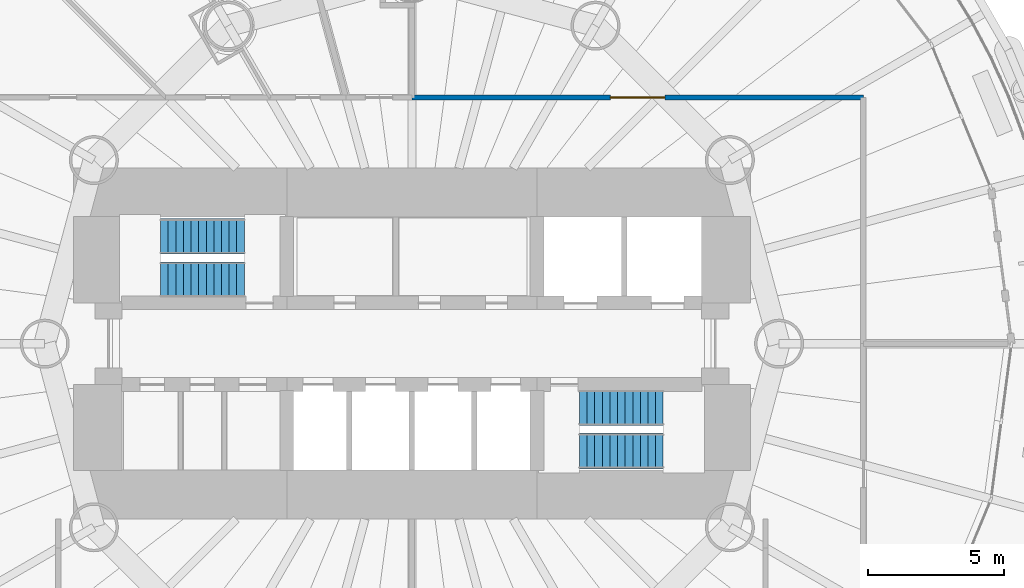
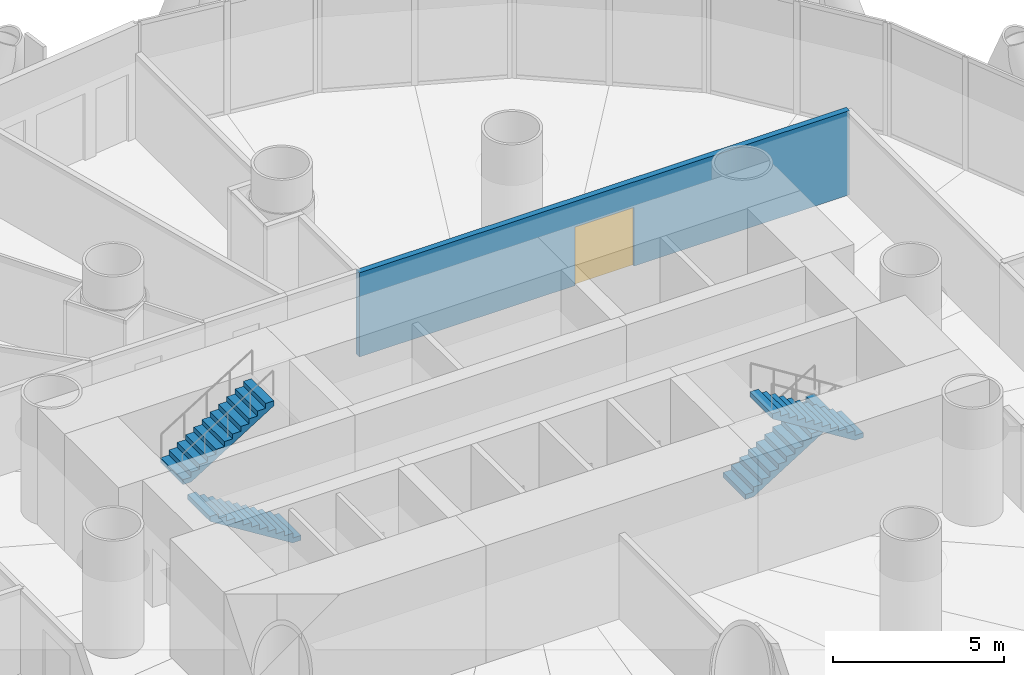
# One storey, part 12 of 16: 4 stair flights, 1 door, 1 wall, 1 opening, 2 elements without a shape of their own.
"""IFC4 building model written with IfcOpenShell, lengths in metres."""

import ifcopenshell
import ifcopenshell.guid

model = None  # the IFC model being written
_history = None  # IfcOwnerHistory: only IFC2X3 demands one
_inside = {}  # id of a spatial element -> (the spatial element, [elements in it])
_under = {}  # id of a project, library or spatial element -> (it, [spatial elements below it])
_declared = {}  # id of a project -> (the project, [libraries it declares])
_typed = {}  # id of a type object -> (the type object, [elements of that type])
_made_of = {}  # id of a material, layer set ... -> (it, [elements and type objects made of it])


def new_model(schema):
    """Start an empty IFC model of exactly this schema.

    Asked for "IFC4X3", IfcOpenShell would pick the latest addendum, in which some entities
    have other attributes; the version numbers below select the first issue.
    IFC2X3 requires an IfcOwnerHistory on every rooted entity: one is made here for all.
    """
    global model, _history
    if schema == "IFC4X3":
        model = ifcopenshell.file(schema_version=(4, 3, 0, 0))
    else:
        model = ifcopenshell.file(schema=schema)
    _inside.clear()
    _under.clear()
    _declared.clear()
    _typed.clear()
    _made_of.clear()
    _history = None
    if model.schema == "IFC2X3":
        org = make("IfcOrganization", Name="unknown")
        user = make(
            "IfcPersonAndOrganization",
            ThePerson=make("IfcPerson", FamilyName="unknown"),
            TheOrganization=org,
        )
        app = make(
            "IfcApplication",
            ApplicationDeveloper=org,
            Version="unknown",
            ApplicationFullName="unknown",
            ApplicationIdentifier="unknown",
        )
        _history = make(
            "IfcOwnerHistory",
            OwningUser=user,
            OwningApplication=app,
            ChangeAction="ADDED",
            CreationDate=0,
        )
    return model


def make(cls, **values):
    """One entity of the class cls with the attributes given. An attribute that is None is left unset."""
    return model.create_entity(
        cls, **{name: value for name, value in values.items() if value is not None}
    )


def rooted(cls, **values):
    """An entity with a GlobalId (a new one), such as an element, a storey or a relation."""
    return make(cls, GlobalId=ifcopenshell.guid.new(), OwnerHistory=_history, **values)


def si_unit(unit_type, name, prefix=None):
    """IfcSIUnit, for example si_unit("LENGTHUNIT", "METRE", prefix="MILLI")."""
    return make("IfcSIUnit", UnitType=unit_type, Prefix=prefix, Name=name)


def assignment(units):
    """IfcUnitAssignment: the units of a project."""
    return None if units is None else make("IfcUnitAssignment", Units=units)


def point(xyz):
    """IfcCartesianPoint."""
    return None if xyz is None else make("IfcCartesianPoint", Coordinates=xyz)


def direction(xyz):
    """IfcDirection."""
    return None if xyz is None else make("IfcDirection", DirectionRatios=xyz)


def frame(location, z_axis=None, x_axis=None):
    """IfcAxis2Placement3D, a coordinate frame: its origin and axes. An axis left out is left unset."""
    return make(
        "IfcAxis2Placement3D",
        Location=point(location),
        Axis=direction(z_axis),
        RefDirection=direction(x_axis),
    )


def frame_2d(location, x_axis=None):
    """IfcAxis2Placement2D, a coordinate frame in the plane: its origin and x axis."""
    return make(
        "IfcAxis2Placement2D", Location=point(location), RefDirection=direction(x_axis)
    )


def origin():
    """The frame at (0, 0, 0) with its axes left unset."""
    return frame((0.0, 0.0, 0.0))


def place(relative_to, where):
    """IfcLocalPlacement: puts the frame where relative to a parent placement (None: the world)."""
    return make(
        "IfcLocalPlacement", PlacementRelTo=relative_to, RelativePlacement=where
    )


def context(
    kind, dimensions, precision=None, world=None, true_north=None, identifier=None
):
    """IfcGeometricRepresentationContext, for example the 3D "Model" context."""
    return make(
        "IfcGeometricRepresentationContext",
        ContextIdentifier=identifier,
        ContextType=kind,
        CoordinateSpaceDimension=dimensions,
        Precision=precision,
        WorldCoordinateSystem=world,
        TrueNorth=true_north,
    )


def subcontext(parent, identifier, kind, view, scale=None):
    """IfcGeometricRepresentationSubContext, for example "Body" below "Model"."""
    return make(
        "IfcGeometricRepresentationSubContext",
        ContextIdentifier=identifier,
        ContextType=kind,
        ParentContext=parent,
        TargetScale=scale,
        TargetView=view,
    )


def project(units=None, contexts=None):
    """IfcProject with its units and contexts."""
    return rooted(
        "IfcProject",
        Name="project",
        RepresentationContexts=contexts,
        UnitsInContext=assignment(units),
    )


def spatial(cls, under=None, at=None, **own):
    """A site, building, storey or space (cls), placed at a placement, below another one or the project."""
    s = rooted(cls, ObjectPlacement=at, **own)
    if under is not None:
        _under.setdefault(under.id(), (under, []))[1].append(s)
    return s


def polyline(points):
    """IfcPolyline through the points."""
    return make("IfcPolyline", Points=[point(p) for p in points])


def profile(cls, at=None, kind="AREA", **sizes):
    """A parametric profile (cls). Its sizes go by their IFC names, for example OverallWidth=200.0."""
    return make(cls, ProfileType=kind, Position=at, **sizes)


def rectangle(**sizes):
    """IfcRectangleProfileDef."""
    return profile("IfcRectangleProfileDef", **sizes)


def outline(outer, holes=None, kind="AREA"):
    """IfcArbitraryClosedProfileDef: a profile drawn as a closed curve; with holes, ...WithVoids."""
    if holes is None:
        return make("IfcArbitraryClosedProfileDef", ProfileType=kind, OuterCurve=outer)
    return make(
        "IfcArbitraryProfileDefWithVoids",
        ProfileType=kind,
        OuterCurve=outer,
        InnerCurves=holes,
    )


def extrude(swept, where, along, depth):
    """IfcExtrudedAreaSolid: the profile swept, set in the frame where, extruded along a direction by depth."""
    return make(
        "IfcExtrudedAreaSolid",
        SweptArea=swept,
        Position=where,
        ExtrudedDirection=direction(along),
        Depth=depth,
    )


def shape(context_of_items, identifier, shape_type, items):
    """IfcShapeRepresentation: the items that make up one representation, for example the "Body"."""
    return make(
        "IfcShapeRepresentation",
        ContextOfItems=context_of_items,
        RepresentationIdentifier=identifier,
        RepresentationType=shape_type,
        Items=items,
    )


def material(Name=None, Category=None):
    """IfcMaterial."""
    return make("IfcMaterial", Name=Name, Category=Category)


def layer(
    of_material, thickness, ventilated=None, Name=None, Category=None, Priority=None
):
    """IfcMaterialLayer: one layer of a wall or slab, of a material (None: an air gap)."""
    return make(
        "IfcMaterialLayer",
        Material=of_material,
        LayerThickness=thickness,
        IsVentilated=ventilated,
        Name=Name,
        Category=Category,
        Priority=Priority,
    )


def layer_set(layers, Name=None):
    """IfcMaterialLayerSet."""
    return make("IfcMaterialLayerSet", MaterialLayers=layers, LayerSetName=Name)


def made_of(thing, what):
    """Note that an element or type object is made of a material, layer set ...; save() writes the relation."""
    if what is not None:
        _made_of.setdefault(what.id(), (what, []))[1].append(thing)
    return thing


def type_object(cls, material=None, **own):
    """A type object (cls), such as IfcWallType, which elements share."""
    return made_of(rooted(cls, **own), material)


def element(
    cls,
    number,
    at=None,
    inside=None,
    cuts=None,
    type_object=None,
    material=None,
    context=None,
    identifier="Body",
    shape_type=None,
    held_by="IfcProductDefinitionShape",
    body=None,
    shapes=None,
    **own,
):
    """One element of the class cls, such as IfcWall. Its Tag is "e" and its number.

    at: its placement. inside: the storey or other place that contains it. cuts: it is an
    opening in that element (IfcRelVoidsElement). A single representation is given by context,
    identifier, shape_type and body (its items); several are given by shapes. held_by: the class
    of the entity that holds the representations. save() writes the other relations.
    """
    e = rooted(cls, Tag="e%d" % number, ObjectPlacement=at, **own)
    if body is not None:
        shapes = [shape(context, identifier, shape_type, body)]
    if shapes is not None:
        e.Representation = make(held_by, Representations=shapes)
    if inside is not None:
        _inside.setdefault(inside.id(), (inside, []))[1].append(e)
    if cuts is not None:
        rooted(
            "IfcRelVoidsElement", RelatingBuildingElement=cuts, RelatedOpeningElement=e
        )
    if type_object is not None:
        _typed.setdefault(type_object.id(), (type_object, []))[1].append(e)
    return made_of(e, material)


def fill(opening, filler):
    """IfcRelFillsElement: the door or window that sits in an opening."""
    return rooted(
        "IfcRelFillsElement",
        RelatingOpeningElement=opening,
        RelatedBuildingElement=filler,
    )


def aggregate(whole, parts):
    """IfcRelAggregates: a whole, such as a stair, and the parts it consists of."""
    return rooted("IfcRelAggregates", RelatingObject=whole, RelatedObjects=parts)


def save(model, path):
    """Write the relations noted so far, then the file.

    IfcRelAggregates (storeys below a building ...), IfcRelContainedInSpatialStructure (elements
    in a storey), IfcRelDefinesByType, IfcRelAssociatesMaterial and IfcRelDeclares: one each for
    every whole, place, type object, material and project.
    """
    for whole, parts in _under.values():
        aggregate(whole, parts)
    for where, things in _inside.values():
        rooted(
            "IfcRelContainedInSpatialStructure",
            RelatedElements=things,
            RelatingStructure=where,
        )
    for kind, things in _typed.values():
        rooted("IfcRelDefinesByType", RelatedObjects=things, RelatingType=kind)
    for what, things in _made_of.values():
        rooted("IfcRelAssociatesMaterial", RelatedObjects=things, RelatingMaterial=what)
    for by, libraries in _declared.values():
        rooted("IfcRelDeclares", RelatingContext=by, RelatedDefinitions=libraries)
    model.write(path)


model = new_model("IFC4")

# Units and contexts
model_context = context("Model", 3, precision=1e-05, world=origin(), true_north=direction((0.0, 1.0)))
body_context = subcontext(model_context, "Body", "Model", "MODEL_VIEW")
ifc_project = project(units=[si_unit("LENGTHUNIT", "METRE"), si_unit("AREAUNIT", "SQUARE_METRE"), si_unit("VOLUMEUNIT", "CUBIC_METRE"), si_unit("PLANEANGLEUNIT", "RADIAN"), si_unit("MASSUNIT", "GRAM", prefix="KILO")], contexts=[model_context])

# Site, building, storey
site_placement = place(None, origin())
site = spatial("IfcSite", under=ifc_project, at=site_placement, CompositionType="ELEMENT")
building_placement = place(site_placement, origin())
building = spatial("IfcBuilding", under=site, at=building_placement, Name="Qaws Media Tower", CompositionType="ELEMENT")
storey_placement = place(building_placement, frame((0.0, 0.0, 181.39990234375)))
storey = spatial("IfcBuildingStorey", under=building, at=storey_placement, Name="L41", CompositionType="ELEMENT", Elevation=181.39990234375)

# Wall, opening, door
ifc_material_1 = material(Name="Gypsum board on galvanised metal studs, acoustic double stud, deflection head", Category="gypsum")
ifc_layer = layer(ifc_material_1, 0.199951171875)
ifc_layer_set = layer_set([ifc_layer], Name="Room partition 200")
wall_type = type_object("IfcWallType", Name="Room partition 200", PredefinedType="PARTITIONING", material=ifc_layer_set)
wall_placement = place(storey_placement, frame((60.0, 59.050048828125, 0.0), z_axis=(0.0, 0.0, 1.0), x_axis=(1.0, 0.0, 0.0)))
wall = element("IfcWall", 1, at=wall_placement, inside=storey, type_object=wall_type, Name="W1397 IW3 partition L41", PredefinedType="PARTITIONING", context=body_context, shape_type="SweptSolid", body=[
    extrude(rectangle(XDim=16.60009765625, YDim=0.199951171875, at=frame_2d((8.300048828125, 0.0))), origin(), (0.0, 0.0, 1.0), 3.01220703125),
])
opening_placement = place(wall_placement, frame((7.300048828125, 0.0, 0.0)))
opening = element("IfcOpeningElement", 2, at=opening_placement, cuts=wall, Name="Opening D6", PredefinedType="OPENING", context=body_context, shape_type="SweptSolid", body=[
    extrude(rectangle(XDim=2.0, YDim=2.10009765625, at=frame_2d((1.0, 1.050048828125))), frame((0.0, 0.10986328125, 0.0), z_axis=(0.0, -1.0, 0.0), x_axis=(1.0, 0.0, 0.0)), (0.0, 0.0, 1.0), 0.219970703125),
])
ifc_material_2 = material(Name="Steel, acoustic, fire rated", Category="steel")
door_type = type_object("IfcDoorType", Name="Room door pair 2000", OperationType="DOUBLE_DOOR_DOUBLE_SWING", PredefinedType="DOOR", material=ifc_material_2)
door_placement = place(opening_placement, origin())
door = element("IfcDoor", 3, at=door_placement, inside=storey, type_object=door_type, Name="D6 Strategy office door L41 in wall W1397", OperationType="DOUBLE_DOOR_DOUBLE_SWING", OverallHeight=2.10009765625, OverallWidth=2.0, PredefinedType="DOOR", context=body_context, shape_type="SweptSolid", body=[
    extrude(rectangle(XDim=2.0, YDim=2.10009765625, at=frame_2d((1.0, 1.050048828125))), frame((0.0, 0.02490234375, 0.0), z_axis=(0.0, -1.0, 0.0), x_axis=(1.0, 0.0, 0.0)), (0.0, 0.0, 1.0), 0.050048828125),
])
fill(opening, door)

# Stair, stair flights
ifc_material_3 = material(Name="Concrete C40/50", Category="concrete")
stair_type = type_object("IfcStairType", Name="Exit stair", PredefinedType="HALF_TURN_STAIR", material=ifc_material_3)
stair_1_placement = place(storey_placement, origin())
stair_1 = element("IfcStair", 4, at=stair_1_placement, inside=storey, type_object=stair_type, Name="S1 exit stair L41", PredefinedType="HALF_TURN_STAIR")
ifc_material_4 = material(Name="Concrete C40/50", Category="concrete")
stair_flight_type = type_object("IfcStairFlightType", Name="Stair flight 1310", PredefinedType="STRAIGHT", material=ifc_material_4)
stair_flight_1_placement = place(storey_placement, frame((53.840087890625, 52.35498046875, 0.0), z_axis=(0.0, 0.0, 1.0), x_axis=(-1.0, 0.0, 0.0)))
stair_flight_1 = element("IfcStairFlight", 5, at=stair_flight_1_placement, type_object=stair_flight_type, Name="S1 flight 1", NumberOfRisers=12, NumberOfTreads=11, PredefinedType="STRAIGHT", RiserHeight=0.175, TreadLength=0.28, context=body_context, shape_type="SweptSolid", body=[
    extrude(outline(polyline([(0.0, 0.0), (0.0, 0.175048828125), (0.280029296875, 0.175048828125), (0.280029296875, 0.35009765625), (0.56005859375, 0.35009765625), (0.56005859375, 0.52490234375), (0.840087890625, 0.52490234375), (0.840087890625, 0.699951171875), (1.1201171875, 0.699951171875), (1.1201171875, 0.875), (1.39990234375, 0.875), (1.39990234375, 1.050048828125), (1.679931640625, 1.050048828125), (1.679931640625, 1.22509765625), (1.9599609375, 1.22509765625), (1.9599609375, 1.39990234375), (2.239990234375, 1.39990234375), (2.239990234375, 1.574951171875), (2.52001953125, 1.574951171875), (2.52001953125, 1.75), (2.800048828125, 1.75), (2.800048828125, 1.925048828125), (3.080078125, 1.925048828125), (3.080078125, 2.10009765625), (3.080078125, 1.748291015625), (0.28271484375, 0.0), (0.0, 0.0)])), frame((0.0, 0.655029296875, 0.0), z_axis=(0.0, -1.0, 0.0), x_axis=(1.0, 0.0, 0.0)), (0.0, 0.0, 1.0), 1.31005859375),
])
stair_flight_2_placement = place(storey_placement, frame((50.760009765625, 53.945068359375, 2.10009765625), z_axis=(0.0, 0.0, 1.0), x_axis=(1.0, 0.0, 0.0)))
stair_flight_2 = element("IfcStairFlight", 6, at=stair_flight_2_placement, type_object=stair_flight_type, Name="S1 flight 2", NumberOfRisers=12, NumberOfTreads=11, PredefinedType="STRAIGHT", RiserHeight=0.175, TreadLength=0.28, context=body_context, shape_type="SweptSolid", body=[
    extrude(outline(polyline([(0.0, 0.0), (0.0, 0.175048828125), (0.280029296875, 0.175048828125), (0.280029296875, 0.35009765625), (0.56005859375, 0.35009765625), (0.56005859375, 0.52490234375), (0.840087890625, 0.52490234375), (0.840087890625, 0.699951171875), (1.1201171875, 0.699951171875), (1.1201171875, 0.875), (1.39990234375, 0.875), (1.39990234375, 1.050048828125), (1.679931640625, 1.050048828125), (1.679931640625, 1.22509765625), (1.9599609375, 1.22509765625), (1.9599609375, 1.39990234375), (2.239990234375, 1.39990234375), (2.239990234375, 1.574951171875), (2.52001953125, 1.574951171875), (2.52001953125, 1.75), (2.800048828125, 1.75), (2.800048828125, 1.925048828125), (3.080078125, 1.925048828125), (3.080078125, 2.10009765625), (3.080078125, 1.748291015625), (0.28271484375, 0.0), (0.0, 0.0)])), frame((0.0, 0.655029296875, 0.0), z_axis=(0.0, -1.0, 0.0), x_axis=(1.0, 0.0, 0.0)), (0.0, 0.0, 1.0), 1.31005859375),
])
aggregate(stair_1, [stair_flight_1, stair_flight_2])

stair_2_placement = place(storey_placement, origin())
stair_2 = element("IfcStair", 7, at=stair_2_placement, inside=storey, type_object=stair_type, Name="S2 exit stair L41", PredefinedType="HALF_TURN_STAIR")
stair_flight_3_placement = place(storey_placement, frame((66.159912109375, 47.64501953125, 0.0), z_axis=(0.0, 0.0, 1.0), x_axis=(1.0, 0.0, 0.0)))
stair_flight_3 = element("IfcStairFlight", 8, at=stair_flight_3_placement, type_object=stair_flight_type, Name="S2 flight 1", NumberOfRisers=12, NumberOfTreads=11, PredefinedType="STRAIGHT", RiserHeight=0.175, TreadLength=0.28, context=body_context, shape_type="SweptSolid", body=[
    extrude(outline(polyline([(0.0, 0.0), (0.0, 0.175048828125), (0.280029296875, 0.175048828125), (0.280029296875, 0.35009765625), (0.56005859375, 0.35009765625), (0.56005859375, 0.52490234375), (0.840087890625, 0.52490234375), (0.840087890625, 0.699951171875), (1.1201171875, 0.699951171875), (1.1201171875, 0.875), (1.39990234375, 0.875), (1.39990234375, 1.050048828125), (1.679931640625, 1.050048828125), (1.679931640625, 1.22509765625), (1.9599609375, 1.22509765625), (1.9599609375, 1.39990234375), (2.239990234375, 1.39990234375), (2.239990234375, 1.574951171875), (2.52001953125, 1.574951171875), (2.52001953125, 1.75), (2.800048828125, 1.75), (2.800048828125, 1.925048828125), (3.080078125, 1.925048828125), (3.080078125, 2.10009765625), (3.080078125, 1.748291015625), (0.28271484375, 0.0), (0.0, 0.0)])), frame((0.0, 0.655029296875, 0.0), z_axis=(0.0, -1.0, 0.0), x_axis=(1.0, 0.0, 0.0)), (0.0, 0.0, 1.0), 1.31005859375),
])
stair_flight_4_placement = place(storey_placement, frame((69.239990234375, 46.054931640625, 2.10009765625), z_axis=(0.0, 0.0, 1.0), x_axis=(-1.0, 0.0, 0.0)))
stair_flight_4 = element("IfcStairFlight", 9, at=stair_flight_4_placement, type_object=stair_flight_type, Name="S2 flight 2", NumberOfRisers=12, NumberOfTreads=11, PredefinedType="STRAIGHT", RiserHeight=0.175, TreadLength=0.28, context=body_context, shape_type="SweptSolid", body=[
    extrude(outline(polyline([(0.0, 0.0), (0.0, 0.175048828125), (0.280029296875, 0.175048828125), (0.280029296875, 0.35009765625), (0.56005859375, 0.35009765625), (0.56005859375, 0.52490234375), (0.840087890625, 0.52490234375), (0.840087890625, 0.699951171875), (1.1201171875, 0.699951171875), (1.1201171875, 0.875), (1.39990234375, 0.875), (1.39990234375, 1.050048828125), (1.679931640625, 1.050048828125), (1.679931640625, 1.22509765625), (1.9599609375, 1.22509765625), (1.9599609375, 1.39990234375), (2.239990234375, 1.39990234375), (2.239990234375, 1.574951171875), (2.52001953125, 1.574951171875), (2.52001953125, 1.75), (2.800048828125, 1.75), (2.800048828125, 1.925048828125), (3.080078125, 1.925048828125), (3.080078125, 2.10009765625), (3.080078125, 1.748291015625), (0.28271484375, 0.0), (0.0, 0.0)])), frame((0.0, 0.655029296875, 0.0), z_axis=(0.0, -1.0, 0.0), x_axis=(1.0, 0.0, 0.0)), (0.0, 0.0, 1.0), 1.31005859375),
])
aggregate(stair_2, [stair_flight_3, stair_flight_4])

save(model, "model.ifc")
